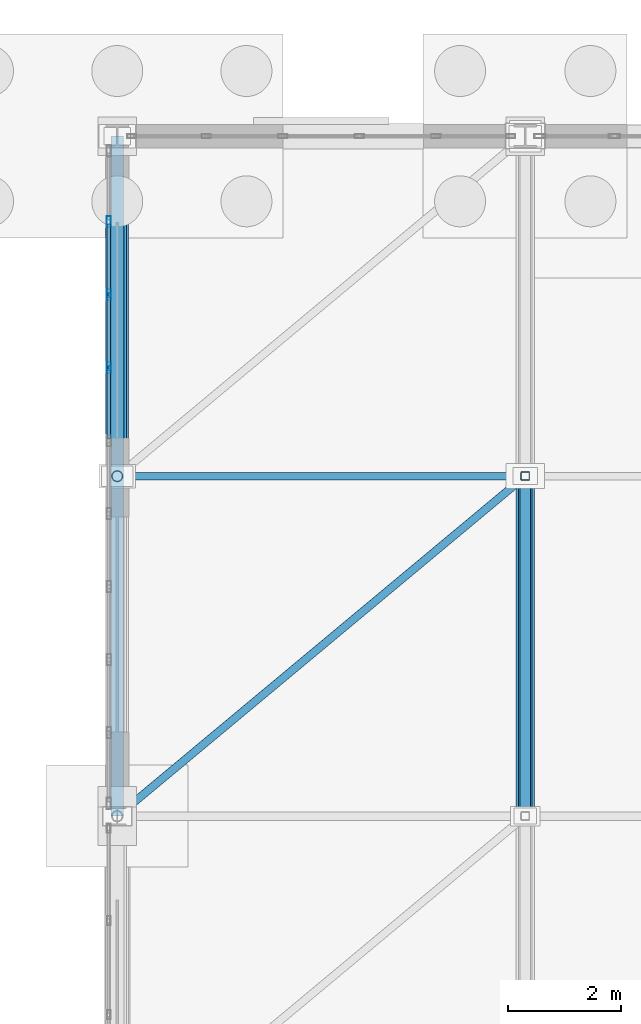
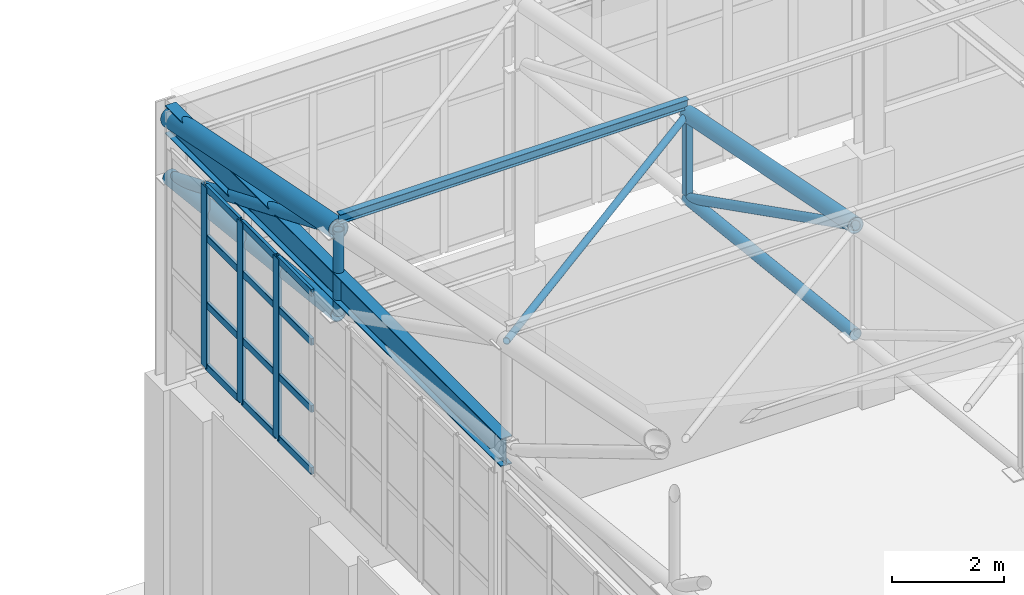
# One storey, part 199 of 293: 25 members, 1 beam, 1 element without a shape of its own.
"""IFC4 building model written with IfcOpenShell, lengths in metres."""

from ifc_helpers import new_model, si_unit, direction, frame, origin, origin_2d, place, context, subcontext, project, spatial, hollow_rectangle, hollow_circle, i_section, extrude, material, layer, layer_set, material_profile, profile_set, type_object, element, aggregate, save


model = new_model("IFC4")

# Units and contexts
model_context = context("Model", 3, precision=1e-05, world=origin(), true_north=direction((0.0, 1.0)))
body_context = subcontext(model_context, "Body", "Model", "MODEL_VIEW")
ifc_project = project(units=[si_unit("LENGTHUNIT", "METRE"), si_unit("AREAUNIT", "SQUARE_METRE"), si_unit("VOLUMEUNIT", "CUBIC_METRE"), si_unit("PLANEANGLEUNIT", "RADIAN"), si_unit("MASSUNIT", "GRAM", prefix="KILO")], contexts=[model_context])

# Site, building, storey
site_placement = place(None, origin())
site = spatial("IfcSite", under=ifc_project, at=site_placement, CompositionType="ELEMENT")
building_placement = place(site_placement, origin())
building = spatial("IfcBuilding", under=site, at=building_placement, Name="Kemerveld Promenade Tramway Depot", CompositionType="ELEMENT")
storey_placement = place(building_placement, origin())
storey = spatial("IfcBuildingStorey", under=building, at=storey_placement, Name="L00", CompositionType="ELEMENT", Elevation=0.0)

# Beam
ifc_material_1 = material(Name="Steel S355", Category="steel")
ifc_material_profile_1 = material_profile(ifc_material_1, i_section(OverallWidth=0.22900390625, OverallDepth=0.6123046875, WebThickness=0.011962890625, FlangeThickness=0.01953125, FilletRadius=0.0126953125, at=origin_2d()), Name="610x229x125 UB")
ifc_profile_set_1 = profile_set([ifc_material_profile_1], Name="Steel S355")
beam_type = type_object("IfcBeamType", Name="BM-G04", PredefinedType="BEAM", material=ifc_profile_set_1)
beam_placement = place(storey_placement, frame((36.0, 132.0, 11.093994140625), z_axis=(0.0, 1.0, 0.0), x_axis=(-1.0, 0.0, 0.0)))
element("IfcBeam", 1, at=beam_placement, inside=storey, type_object=beam_type, Name="BM-GABLE-06-S", PredefinedType="BEAM", context=body_context, shape_type="SweptSolid", body=[
    extrude(i_section(OverallWidth=0.22900390625, OverallDepth=0.6123046875, WebThickness=0.011962890625, FlangeThickness=0.01953125, FilletRadius=0.0126953125, at=origin_2d()), origin(), (0.0, 0.0, 1.0), 12.0),
])

# Curtain wall, members
ifc_material_2 = material(Name="Bronze anodised aluminium and solar glass", Category="aluminium")
ifc_layer = layer(ifc_material_2, 0.199951171875)
ifc_layer_set = layer_set([ifc_layer], Name="CW-SYS-12")
curtain_wall_type = type_object("IfcCurtainWallType", Name="CW-SYS-12", PredefinedType="USERDEFINED", material=ifc_layer_set)
curtain_wall_placement = place(storey_placement, origin())
curtain_wall = element("IfcCurtainWall", 2, at=curtain_wall_placement, inside=storey, type_object=curtain_wall_type, Name="CW-V1-W-05", ObjectType="GLAZED_CURTAIN_WALL", PredefinedType="USERDEFINED")
ifc_material_3 = material(Name="Bronze anodised aluminium", Category="aluminium")
ifc_material_profile_2 = material_profile(ifc_material_3, hollow_rectangle(XDim=0.074951171875, YDim=0.199951171875, WallThickness=0.0048828125, InnerFilletRadius=0.001953125, OuterFilletRadius=0.0048828125, at=origin_2d()), Name="CW-MUL-200x75")
ifc_profile_set_2 = profile_set([ifc_material_profile_2], Name="Bronze anodised aluminium")
member_type_1 = type_object("IfcMemberType", Name="CW-MUL-B", PredefinedType="MULLION", material=ifc_profile_set_2)
member_1_placement = place(storey_placement, frame((35.85009765625, 139.912353515625, 6.64990234375), z_axis=(0.0, 0.0, 1.0), x_axis=(-1.0, 0.0, 0.0)))
member_1 = element("IfcMember", 3, at=member_1_placement, type_object=member_type_1, Name="CW12 mullion 7", PredefinedType="MULLION", context=body_context, shape_type="SweptSolid", body=[
    extrude(hollow_rectangle(XDim=0.074951171875, YDim=0.199951171875, WallThickness=0.0048828125, InnerFilletRadius=0.001953125, OuterFilletRadius=0.0048828125, at=origin_2d()), origin(), (0.0, 0.0, 1.0), 3.9501953125),
])
member_2_placement = place(storey_placement, frame((35.85009765625, 141.200439453125, 6.64990234375), z_axis=(0.0, 0.0, 1.0), x_axis=(-1.0, 0.0, 0.0)))
member_2 = element("IfcMember", 4, at=member_2_placement, type_object=member_type_1, Name="CW12 mullion 8", PredefinedType="MULLION", context=body_context, shape_type="SweptSolid", body=[
    extrude(hollow_rectangle(XDim=0.074951171875, YDim=0.199951171875, WallThickness=0.0048828125, InnerFilletRadius=0.001953125, OuterFilletRadius=0.0048828125, at=origin_2d()), origin(), (0.0, 0.0, 1.0), 3.9501953125),
])
member_3_placement = place(storey_placement, frame((35.85009765625, 142.48876953125, 6.64990234375), z_axis=(0.0, 0.0, 1.0), x_axis=(-1.0, 0.0, 0.0)))
member_3 = element("IfcMember", 5, at=member_3_placement, type_object=member_type_1, Name="CW12 mullion 9", PredefinedType="MULLION", context=body_context, shape_type="SweptSolid", body=[
    extrude(hollow_rectangle(XDim=0.074951171875, YDim=0.199951171875, WallThickness=0.0048828125, InnerFilletRadius=0.001953125, OuterFilletRadius=0.0048828125, at=origin_2d()), origin(), (0.0, 0.0, 1.0), 3.9501953125),
])
ifc_material_profile_3 = material_profile(ifc_material_3, hollow_rectangle(XDim=0.06494140625, YDim=0.14990234375, WallThickness=0.00439453125, InnerFilletRadius=0.001953125, OuterFilletRadius=0.00439453125, at=origin_2d()), Name="CW-TRN-150x65")
ifc_profile_set_3 = profile_set([ifc_material_profile_3], Name="Bronze anodised aluminium")
member_type_2 = type_object("IfcMemberType", Name="CW-TRN-B", PredefinedType="USERDEFINED", material=ifc_profile_set_3)
member_4_placement = place(storey_placement, frame((35.85009765625, 138.66162109375, 6.6826171875), z_axis=(0.0, 1.0, 0.0), x_axis=(-1.0, 0.0, 0.0)))
member_4 = element("IfcMember", 6, at=member_4_placement, type_object=member_type_2, Name="CW12 transom 6.1", ObjectType="TRANSOM", PredefinedType="USERDEFINED", context=body_context, shape_type="SweptSolid", body=[
    extrude(hollow_rectangle(XDim=0.06494140625, YDim=0.14990234375, WallThickness=0.00439453125, InnerFilletRadius=0.001953125, OuterFilletRadius=0.00439453125, at=origin_2d()), origin(), (0.0, 0.0, 1.0), 1.213134765625),
])
member_5_placement = place(storey_placement, frame((35.85009765625, 138.66162109375, 8.032958984375), z_axis=(0.0, 1.0, 0.0), x_axis=(-1.0, 0.0, 0.0)))
member_5 = element("IfcMember", 7, at=member_5_placement, type_object=member_type_2, Name="CW12 transom 6.2", ObjectType="TRANSOM", PredefinedType="USERDEFINED", context=body_context, shape_type="SweptSolid", body=[
    extrude(hollow_rectangle(XDim=0.06494140625, YDim=0.14990234375, WallThickness=0.00439453125, InnerFilletRadius=0.001953125, OuterFilletRadius=0.00439453125, at=origin_2d()), origin(), (0.0, 0.0, 1.0), 1.213134765625),
])
member_6_placement = place(storey_placement, frame((35.85009765625, 138.66162109375, 9.493896484375), z_axis=(0.0, 1.0, 0.0), x_axis=(-1.0, 0.0, 0.0)))
member_6 = element("IfcMember", 8, at=member_6_placement, type_object=member_type_2, Name="CW12 transom 6.3", ObjectType="TRANSOM", PredefinedType="USERDEFINED", context=body_context, shape_type="SweptSolid", body=[
    extrude(hollow_rectangle(XDim=0.06494140625, YDim=0.14990234375, WallThickness=0.00439453125, InnerFilletRadius=0.001953125, OuterFilletRadius=0.00439453125, at=origin_2d()), origin(), (0.0, 0.0, 1.0), 1.213134765625),
])
member_7_placement = place(storey_placement, frame((35.85009765625, 138.66162109375, 10.5673828125), z_axis=(0.0, 1.0, 0.0), x_axis=(-1.0, 0.0, 0.0)))
member_7 = element("IfcMember", 9, at=member_7_placement, type_object=member_type_2, Name="CW12 transom 6.4", ObjectType="TRANSOM", PredefinedType="USERDEFINED", context=body_context, shape_type="SweptSolid", body=[
    extrude(hollow_rectangle(XDim=0.06494140625, YDim=0.14990234375, WallThickness=0.00439453125, InnerFilletRadius=0.001953125, OuterFilletRadius=0.00439453125, at=origin_2d()), origin(), (0.0, 0.0, 1.0), 1.213134765625),
])
member_8_placement = place(storey_placement, frame((35.85009765625, 139.949951171875, 6.6826171875), z_axis=(0.0, 1.0, 0.0), x_axis=(-1.0, 0.0, 0.0)))
member_8 = element("IfcMember", 10, at=member_8_placement, type_object=member_type_2, Name="CW12 transom 7.1", ObjectType="TRANSOM", PredefinedType="USERDEFINED", context=body_context, shape_type="SweptSolid", body=[
    extrude(hollow_rectangle(XDim=0.06494140625, YDim=0.14990234375, WallThickness=0.00439453125, InnerFilletRadius=0.001953125, OuterFilletRadius=0.00439453125, at=origin_2d()), origin(), (0.0, 0.0, 1.0), 1.213134765625),
])
member_9_placement = place(storey_placement, frame((35.85009765625, 139.949951171875, 8.032958984375), z_axis=(0.0, 1.0, 0.0), x_axis=(-1.0, 0.0, 0.0)))
member_9 = element("IfcMember", 11, at=member_9_placement, type_object=member_type_2, Name="CW12 transom 7.2", ObjectType="TRANSOM", PredefinedType="USERDEFINED", context=body_context, shape_type="SweptSolid", body=[
    extrude(hollow_rectangle(XDim=0.06494140625, YDim=0.14990234375, WallThickness=0.00439453125, InnerFilletRadius=0.001953125, OuterFilletRadius=0.00439453125, at=origin_2d()), origin(), (0.0, 0.0, 1.0), 1.213134765625),
])
member_10_placement = place(storey_placement, frame((35.85009765625, 139.949951171875, 9.493896484375), z_axis=(0.0, 1.0, 0.0), x_axis=(-1.0, 0.0, 0.0)))
member_10 = element("IfcMember", 12, at=member_10_placement, type_object=member_type_2, Name="CW12 transom 7.3", ObjectType="TRANSOM", PredefinedType="USERDEFINED", context=body_context, shape_type="SweptSolid", body=[
    extrude(hollow_rectangle(XDim=0.06494140625, YDim=0.14990234375, WallThickness=0.00439453125, InnerFilletRadius=0.001953125, OuterFilletRadius=0.00439453125, at=origin_2d()), origin(), (0.0, 0.0, 1.0), 1.213134765625),
])
member_11_placement = place(storey_placement, frame((35.85009765625, 139.949951171875, 10.5673828125), z_axis=(0.0, 1.0, 0.0), x_axis=(-1.0, 0.0, 0.0)))
member_11 = element("IfcMember", 13, at=member_11_placement, type_object=member_type_2, Name="CW12 transom 7.4", ObjectType="TRANSOM", PredefinedType="USERDEFINED", context=body_context, shape_type="SweptSolid", body=[
    extrude(hollow_rectangle(XDim=0.06494140625, YDim=0.14990234375, WallThickness=0.00439453125, InnerFilletRadius=0.001953125, OuterFilletRadius=0.00439453125, at=origin_2d()), origin(), (0.0, 0.0, 1.0), 1.213134765625),
])
member_12_placement = place(storey_placement, frame((35.85009765625, 141.238037109375, 6.6826171875), z_axis=(0.0, 1.0, 0.0), x_axis=(-1.0, 0.0, 0.0)))
member_12 = element("IfcMember", 14, at=member_12_placement, type_object=member_type_2, Name="CW12 transom 8.1", ObjectType="TRANSOM", PredefinedType="USERDEFINED", context=body_context, shape_type="SweptSolid", body=[
    extrude(hollow_rectangle(XDim=0.06494140625, YDim=0.14990234375, WallThickness=0.00439453125, InnerFilletRadius=0.001953125, OuterFilletRadius=0.00439453125, at=origin_2d()), origin(), (0.0, 0.0, 1.0), 1.213134765625),
])
member_13_placement = place(storey_placement, frame((35.85009765625, 141.238037109375, 8.032958984375), z_axis=(0.0, 1.0, 0.0), x_axis=(-1.0, 0.0, 0.0)))
member_13 = element("IfcMember", 15, at=member_13_placement, type_object=member_type_2, Name="CW12 transom 8.2", ObjectType="TRANSOM", PredefinedType="USERDEFINED", context=body_context, shape_type="SweptSolid", body=[
    extrude(hollow_rectangle(XDim=0.06494140625, YDim=0.14990234375, WallThickness=0.00439453125, InnerFilletRadius=0.001953125, OuterFilletRadius=0.00439453125, at=origin_2d()), origin(), (0.0, 0.0, 1.0), 1.213134765625),
])
member_14_placement = place(storey_placement, frame((35.85009765625, 141.238037109375, 9.493896484375), z_axis=(0.0, 1.0, 0.0), x_axis=(-1.0, 0.0, 0.0)))
member_14 = element("IfcMember", 16, at=member_14_placement, type_object=member_type_2, Name="CW12 transom 8.3", ObjectType="TRANSOM", PredefinedType="USERDEFINED", context=body_context, shape_type="SweptSolid", body=[
    extrude(hollow_rectangle(XDim=0.06494140625, YDim=0.14990234375, WallThickness=0.00439453125, InnerFilletRadius=0.001953125, OuterFilletRadius=0.00439453125, at=origin_2d()), origin(), (0.0, 0.0, 1.0), 1.213134765625),
])
member_15_placement = place(storey_placement, frame((35.85009765625, 141.238037109375, 10.5673828125), z_axis=(0.0, 1.0, 0.0), x_axis=(-1.0, 0.0, 0.0)))
member_15 = element("IfcMember", 17, at=member_15_placement, type_object=member_type_2, Name="CW12 transom 8.4", ObjectType="TRANSOM", PredefinedType="USERDEFINED", context=body_context, shape_type="SweptSolid", body=[
    extrude(hollow_rectangle(XDim=0.06494140625, YDim=0.14990234375, WallThickness=0.00439453125, InnerFilletRadius=0.001953125, OuterFilletRadius=0.00439453125, at=origin_2d()), origin(), (0.0, 0.0, 1.0), 1.213134765625),
])
aggregate(curtain_wall, [member_1, member_2, member_3, member_4, member_5, member_6, member_7, member_8, member_9, member_10, member_11, member_12, member_13, member_14, member_15])

# Members
ifc_material_profile_4 = material_profile(ifc_material_1, i_section(OverallWidth=0.13330078125, OverallDepth=0.203125, WebThickness=0.005615234375, FlangeThickness=0.0078125, FilletRadius=0.007568359375, at=origin_2d()), Name="203x133x25 UB")
ifc_profile_set_4 = profile_set([ifc_material_profile_4], Name="Steel S355")
member_type_3 = type_object("IfcMemberType", Name="MB-PR4", PredefinedType="PURLIN", material=ifc_profile_set_4)
member_16_placement = place(storey_placement, frame((36.0, 138.0, 12.544921875), z_axis=(1.0, 0.0, 0.0), x_axis=(0.0, 1.0, 0.0)))
element("IfcMember", 18, at=member_16_placement, inside=storey, type_object=member_type_3, Name="PUR-V1-09-06", PredefinedType="PURLIN", context=body_context, shape_type="SweptSolid", body=[
    extrude(i_section(OverallWidth=0.13330078125, OverallDepth=0.203125, WebThickness=0.005615234375, FlangeThickness=0.0078125, FilletRadius=0.007568359375, at=origin_2d()), origin(), (0.0, 0.0, 1.0), 7.199951171875),
])
ifc_material_profile_5 = material_profile(ifc_material_1, hollow_circle(Radius=0.122314453125, WallThickness=0.010009765625, at=origin_2d()), Name="244.5x10.0 CHS")
ifc_profile_set_5 = profile_set([ifc_material_profile_5], Name="Steel S355")
member_type_4 = type_object("IfcMemberType", Name="MB-TB1", PredefinedType="BRACE", material=ifc_profile_set_5)
member_17_placement = place(storey_placement, frame((36.0, 144.0, 9.800048828125), z_axis=(0.0, -0.923076923077, 0.384615384615), x_axis=(1.0, 0.0, 0.0)))
element("IfcMember", 19, at=member_17_placement, inside=storey, type_object=member_type_4, Name="TR-06-DG-10", PredefinedType="BRACE", context=body_context, shape_type="SweptSolid", body=[
    extrude(hollow_circle(Radius=0.122314453125, WallThickness=0.010009765625, at=origin_2d()), origin(), (0.0, 0.0, 1.0), 6.5),
])
ifc_material_profile_6 = material_profile(ifc_material_1, hollow_circle(Radius=0.096923828125, WallThickness=0.008056640625, at=origin_2d()), Name="193.7x8.0 CHS")
ifc_profile_set_6 = profile_set([ifc_material_profile_6], Name="Steel S355")
member_type_5 = type_object("IfcMemberType", Name="MB-TB2", PredefinedType="BRACE", material=ifc_profile_set_6)
member_18_placement = place(storey_placement, frame((43.199951171875, 138.0, 10.4599609375), z_axis=(0.0, -0.892033434612, 0.451969414379), x_axis=(1.0, 0.0, 0.0)))
element("IfcMember", 20, at=member_18_placement, inside=storey, type_object=member_type_5, Name="TR-07-DG-09", PredefinedType="BRACE", context=body_context, shape_type="SweptSolid", body=[
    extrude(hollow_circle(Radius=0.096923828125, WallThickness=0.008056640625, at=origin_2d()), origin(), (0.0, 0.0, 1.0), 6.726318359375),
])
ifc_material_profile_7 = material_profile(ifc_material_1, hollow_circle(Radius=0.06982421875, WallThickness=0.00634765625, at=origin_2d()), Name="139.7x6.3 CHS")
ifc_profile_set_7 = profile_set([ifc_material_profile_7], Name="Steel S355")
member_type_6 = type_object("IfcMemberType", Name="MB-TB3", PredefinedType="BRACE", material=ifc_profile_set_7)
member_19_placement = place(storey_placement, frame((36.0, 132.0, 13.5), z_axis=(0.761999094998, 0.635003552225, -0.126995542773), x_axis=(-0.640186961885, 0.768219144407, 0.0)))
element("IfcMember", 21, at=member_19_placement, inside=storey, type_object=member_type_6, Name="RBR-V1-08-06", PredefinedType="BRACE", context=body_context, shape_type="SweptSolid", body=[
    extrude(hollow_circle(Radius=0.06982421875, WallThickness=0.00634765625, at=origin_2d()), origin(), (0.0, 0.0, 1.0), 9.44873046875),
])
ifc_material_profile_8 = material_profile(ifc_material_1, hollow_circle(Radius=0.203125, WallThickness=0.01611328125, at=origin_2d()), Name="406.4x16.0 CHS")
ifc_profile_set_8 = profile_set([ifc_material_profile_8], Name="Steel S355")
member_type_7 = type_object("IfcMemberType", Name="MB-TC1", PredefinedType="CHORD", material=ifc_profile_set_8)
member_20_placement = place(storey_placement, frame((36.0, 138.0, 12.300048828125), z_axis=(0.0, 0.980582210276, -0.196108462057), x_axis=(-1.0, 0.0, 0.0)))
element("IfcMember", 22, at=member_20_placement, inside=storey, type_object=member_type_7, Name="TR-06-TC-10", PredefinedType="CHORD", context=body_context, shape_type="SweptSolid", body=[
    extrude(hollow_circle(Radius=0.203125, WallThickness=0.01611328125, at=origin_2d()), origin(), (0.0, 0.0, 1.0), 6.118896484375),
])
ifc_material_profile_9 = material_profile(ifc_material_1, hollow_circle(Radius=0.161865234375, WallThickness=0.012451171875, at=origin_2d()), Name="323.9x12.5 CHS")
ifc_profile_set_9 = profile_set([ifc_material_profile_9], Name="Steel S355")
member_type_8 = type_object("IfcMemberType", Name="MB-TC2", PredefinedType="CHORD", material=ifc_profile_set_9)
member_21_placement = place(storey_placement, frame((36.0, 138.0, 10.4599609375), z_axis=(0.0, 0.994005938353, -0.109326092585), x_axis=(-1.0, 0.0, 0.0)))
element("IfcMember", 23, at=member_21_placement, inside=storey, type_object=member_type_8, Name="TR-06-BC-10", PredefinedType="CHORD", context=body_context, shape_type="SweptSolid", body=[
    extrude(hollow_circle(Radius=0.161865234375, WallThickness=0.012451171875, at=origin_2d()), origin(), (0.0, 0.0, 1.0), 6.0361328125),
])
member_22_placement = place(storey_placement, frame((43.199951171875, 132.0, 13.5), z_axis=(0.0, 0.980582210276, -0.196108462057), x_axis=(-1.0, 0.0, 0.0)))
element("IfcMember", 24, at=member_22_placement, inside=storey, type_object=member_type_8, Name="TR-07-TC-09", PredefinedType="CHORD", context=body_context, shape_type="SweptSolid", body=[
    extrude(hollow_circle(Radius=0.161865234375, WallThickness=0.012451171875, at=origin_2d()), origin(), (0.0, 0.0, 1.0), 6.118896484375),
])
ifc_material_profile_10 = material_profile(ifc_material_1, hollow_circle(Radius=0.122314453125, WallThickness=0.010009765625, at=origin_2d()), Name="244.5x10.0 CHS")
ifc_profile_set_10 = profile_set([ifc_material_profile_10], Name="Steel S355")
member_type_9 = type_object("IfcMemberType", Name="MB-TC3", PredefinedType="CHORD", material=ifc_profile_set_10)
member_23_placement = place(storey_placement, frame((43.199951171875, 132.0, 11.1201171875), z_axis=(0.0, 0.994001542248, -0.109366055104), x_axis=(-1.0, 0.0, 0.0)))
element("IfcMember", 25, at=member_23_placement, inside=storey, type_object=member_type_9, Name="TR-07-BC-09", PredefinedType="CHORD", context=body_context, shape_type="SweptSolid", body=[
    extrude(hollow_circle(Radius=0.122314453125, WallThickness=0.010009765625, at=origin_2d()), origin(), (0.0, 0.0, 1.0), 6.0361328125),
])
ifc_material_profile_11 = material_profile(ifc_material_1, hollow_circle(Radius=0.096923828125, WallThickness=0.008056640625, at=origin_2d()), Name="193.7x8.0 CHS")
ifc_profile_set_11 = profile_set([ifc_material_profile_11], Name="Steel S355")
member_type_10 = type_object("IfcMemberType", Name="MB-TP1", PredefinedType="POST", material=ifc_profile_set_11)
member_24_placement = place(storey_placement, frame((36.0, 138.0, 10.4599609375), z_axis=(0.0, 0.0, 1.0), x_axis=(1.0, 0.0, 0.0)))
element("IfcMember", 26, at=member_24_placement, inside=storey, type_object=member_type_10, Name="TR-06-VT-09", PredefinedType="POST", context=body_context, shape_type="SweptSolid", body=[
    extrude(hollow_circle(Radius=0.096923828125, WallThickness=0.008056640625, at=origin_2d()), origin(), (0.0, 0.0, 1.0), 1.840087890625),
])
ifc_material_profile_12 = material_profile(ifc_material_1, hollow_rectangle(XDim=0.14990234375, YDim=0.14990234375, WallThickness=0.008056640625, InnerFilletRadius=0.00390625, OuterFilletRadius=0.011962890625, at=origin_2d()), Name="150x150x8.0 SHS")
ifc_profile_set_12 = profile_set([ifc_material_profile_12], Name="Steel S355")
member_type_11 = type_object("IfcMemberType", Name="MB-TP2", PredefinedType="POST", material=ifc_profile_set_12)
member_25_placement = place(storey_placement, frame((43.199951171875, 138.0, 10.4599609375), z_axis=(0.0, 0.0, 1.0), x_axis=(1.0, 0.0, 0.0)))
element("IfcMember", 27, at=member_25_placement, inside=storey, type_object=member_type_11, Name="TR-07-VT-09", PredefinedType="POST", context=body_context, shape_type="SweptSolid", body=[
    extrude(hollow_rectangle(XDim=0.14990234375, YDim=0.14990234375, WallThickness=0.008056640625, InnerFilletRadius=0.00390625, OuterFilletRadius=0.011962890625, at=origin_2d()), origin(), (0.0, 0.0, 1.0), 1.840087890625),
])

save(model, "model.ifc")
